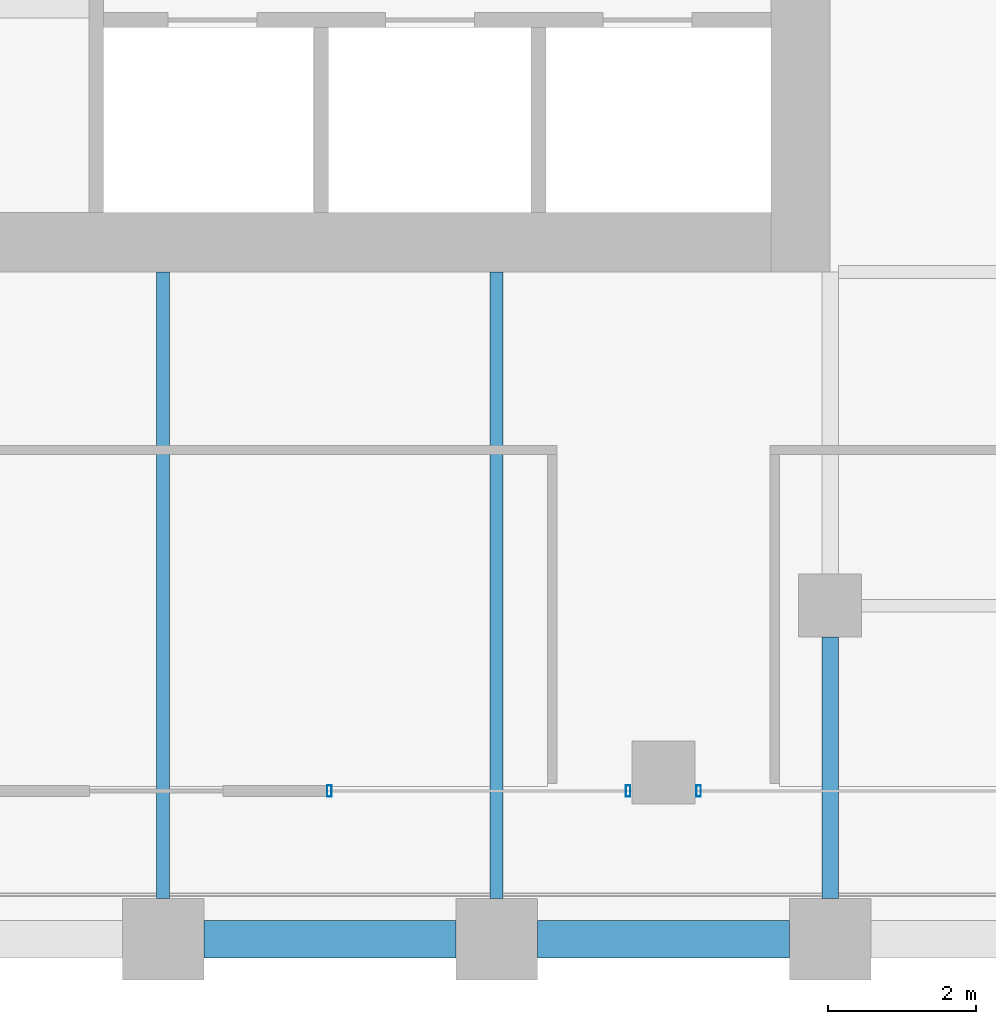
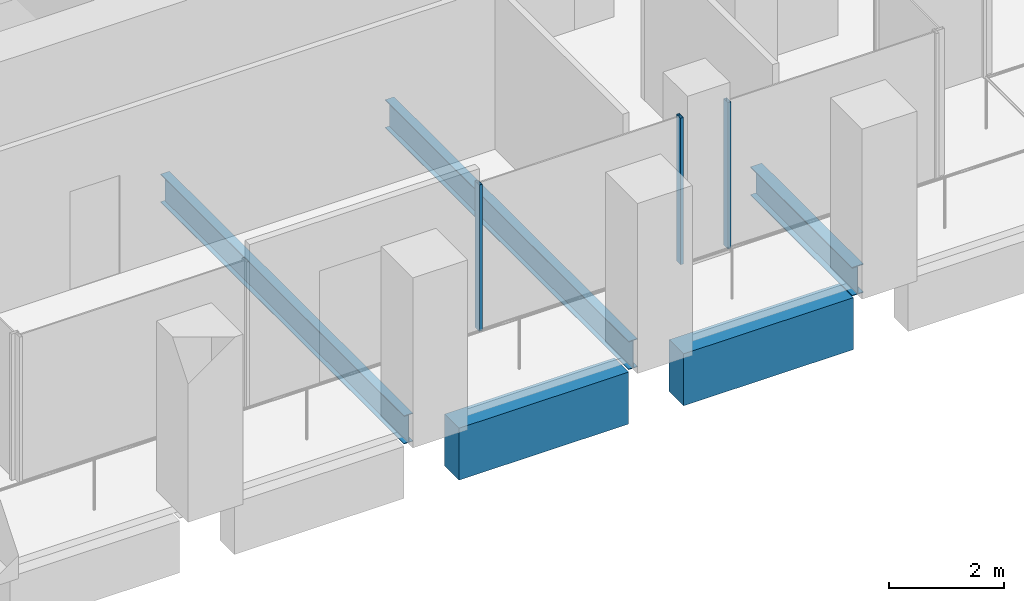
# One storey, part 37 of 56: 5 beams, 3 members, 2 elements without a shape of their own.
"""IFC4 building model written with IfcOpenShell, lengths in metres."""

import ifcopenshell
import ifcopenshell.guid

model = None  # the IFC model being written
_history = None  # IfcOwnerHistory: only IFC2X3 demands one
_inside = {}  # id of a spatial element -> (the spatial element, [elements in it])
_under = {}  # id of a project, library or spatial element -> (it, [spatial elements below it])
_declared = {}  # id of a project -> (the project, [libraries it declares])
_typed = {}  # id of a type object -> (the type object, [elements of that type])
_made_of = {}  # id of a material, layer set ... -> (it, [elements and type objects made of it])


def new_model(schema):
    """Start an empty IFC model of exactly this schema.

    Asked for "IFC4X3", IfcOpenShell would pick the latest addendum, in which some entities
    have other attributes; the version numbers below select the first issue.
    IFC2X3 requires an IfcOwnerHistory on every rooted entity: one is made here for all.
    """
    global model, _history
    if schema == "IFC4X3":
        model = ifcopenshell.file(schema_version=(4, 3, 0, 0))
    else:
        model = ifcopenshell.file(schema=schema)
    _inside.clear()
    _under.clear()
    _declared.clear()
    _typed.clear()
    _made_of.clear()
    _history = None
    if model.schema == "IFC2X3":
        org = make("IfcOrganization", Name="unknown")
        user = make(
            "IfcPersonAndOrganization",
            ThePerson=make("IfcPerson", FamilyName="unknown"),
            TheOrganization=org,
        )
        app = make(
            "IfcApplication",
            ApplicationDeveloper=org,
            Version="unknown",
            ApplicationFullName="unknown",
            ApplicationIdentifier="unknown",
        )
        _history = make(
            "IfcOwnerHistory",
            OwningUser=user,
            OwningApplication=app,
            ChangeAction="ADDED",
            CreationDate=0,
        )
    return model


def make(cls, **values):
    """One entity of the class cls with the attributes given. An attribute that is None is left unset."""
    return model.create_entity(
        cls, **{name: value for name, value in values.items() if value is not None}
    )


def rooted(cls, **values):
    """An entity with a GlobalId (a new one), such as an element, a storey or a relation."""
    return make(cls, GlobalId=ifcopenshell.guid.new(), OwnerHistory=_history, **values)


def si_unit(unit_type, name, prefix=None):
    """IfcSIUnit, for example si_unit("LENGTHUNIT", "METRE", prefix="MILLI")."""
    return make("IfcSIUnit", UnitType=unit_type, Prefix=prefix, Name=name)


def assignment(units):
    """IfcUnitAssignment: the units of a project."""
    return None if units is None else make("IfcUnitAssignment", Units=units)


def point(xyz):
    """IfcCartesianPoint."""
    return None if xyz is None else make("IfcCartesianPoint", Coordinates=xyz)


def direction(xyz):
    """IfcDirection."""
    return None if xyz is None else make("IfcDirection", DirectionRatios=xyz)


def frame(location, z_axis=None, x_axis=None):
    """IfcAxis2Placement3D, a coordinate frame: its origin and axes. An axis left out is left unset."""
    return make(
        "IfcAxis2Placement3D",
        Location=point(location),
        Axis=direction(z_axis),
        RefDirection=direction(x_axis),
    )


def frame_2d(location, x_axis=None):
    """IfcAxis2Placement2D, a coordinate frame in the plane: its origin and x axis."""
    return make(
        "IfcAxis2Placement2D", Location=point(location), RefDirection=direction(x_axis)
    )


def origin():
    """The frame at (0, 0, 0) with its axes left unset."""
    return frame((0.0, 0.0, 0.0))


def origin_2d():
    """The frame at (0, 0) in the plane with its x axis left unset."""
    return frame_2d((0.0, 0.0))


def place(relative_to, where):
    """IfcLocalPlacement: puts the frame where relative to a parent placement (None: the world)."""
    return make(
        "IfcLocalPlacement", PlacementRelTo=relative_to, RelativePlacement=where
    )


def context(
    kind, dimensions, precision=None, world=None, true_north=None, identifier=None
):
    """IfcGeometricRepresentationContext, for example the 3D "Model" context."""
    return make(
        "IfcGeometricRepresentationContext",
        ContextIdentifier=identifier,
        ContextType=kind,
        CoordinateSpaceDimension=dimensions,
        Precision=precision,
        WorldCoordinateSystem=world,
        TrueNorth=true_north,
    )


def subcontext(parent, identifier, kind, view, scale=None):
    """IfcGeometricRepresentationSubContext, for example "Body" below "Model"."""
    return make(
        "IfcGeometricRepresentationSubContext",
        ContextIdentifier=identifier,
        ContextType=kind,
        ParentContext=parent,
        TargetScale=scale,
        TargetView=view,
    )


def project(units=None, contexts=None):
    """IfcProject with its units and contexts."""
    return rooted(
        "IfcProject",
        Name="project",
        RepresentationContexts=contexts,
        UnitsInContext=assignment(units),
    )


def spatial(cls, under=None, at=None, **own):
    """A site, building, storey or space (cls), placed at a placement, below another one or the project."""
    s = rooted(cls, ObjectPlacement=at, **own)
    if under is not None:
        _under.setdefault(under.id(), (under, []))[1].append(s)
    return s


def profile(cls, at=None, kind="AREA", **sizes):
    """A parametric profile (cls). Its sizes go by their IFC names, for example OverallWidth=200.0."""
    return make(cls, ProfileType=kind, Position=at, **sizes)


def rectangle(**sizes):
    """IfcRectangleProfileDef."""
    return profile("IfcRectangleProfileDef", **sizes)


def hollow_rectangle(**sizes):
    """IfcRectangleHollowProfileDef."""
    return profile("IfcRectangleHollowProfileDef", **sizes)


def i_section(**sizes):
    """IfcIShapeProfileDef."""
    return profile("IfcIShapeProfileDef", **sizes)


def extrude(swept, where, along, depth):
    """IfcExtrudedAreaSolid: the profile swept, set in the frame where, extruded along a direction by depth."""
    return make(
        "IfcExtrudedAreaSolid",
        SweptArea=swept,
        Position=where,
        ExtrudedDirection=direction(along),
        Depth=depth,
    )


def shape(context_of_items, identifier, shape_type, items):
    """IfcShapeRepresentation: the items that make up one representation, for example the "Body"."""
    return make(
        "IfcShapeRepresentation",
        ContextOfItems=context_of_items,
        RepresentationIdentifier=identifier,
        RepresentationType=shape_type,
        Items=items,
    )


def material(Name=None, Category=None):
    """IfcMaterial."""
    return make("IfcMaterial", Name=Name, Category=Category)


def material_profile(
    of_material, cross_section, Name=None, Category=None, Priority=None
):
    """IfcMaterialProfile: a cross section and its material."""
    return make(
        "IfcMaterialProfile",
        Name=Name,
        Material=of_material,
        Profile=cross_section,
        Priority=Priority,
        Category=Category,
    )


def profile_set(profiles, Name=None, composite=None):
    """IfcMaterialProfileSet."""
    return make(
        "IfcMaterialProfileSet",
        Name=Name,
        MaterialProfiles=profiles,
        CompositeProfile=composite,
    )


def made_of(thing, what):
    """Note that an element or type object is made of a material, layer set ...; save() writes the relation."""
    if what is not None:
        _made_of.setdefault(what.id(), (what, []))[1].append(thing)
    return thing


def type_object(cls, material=None, **own):
    """A type object (cls), such as IfcWallType, which elements share."""
    return made_of(rooted(cls, **own), material)


def element(
    cls,
    number,
    at=None,
    inside=None,
    cuts=None,
    type_object=None,
    material=None,
    context=None,
    identifier="Body",
    shape_type=None,
    held_by="IfcProductDefinitionShape",
    body=None,
    shapes=None,
    **own,
):
    """One element of the class cls, such as IfcWall. Its Tag is "e" and its number.

    at: its placement. inside: the storey or other place that contains it. cuts: it is an
    opening in that element (IfcRelVoidsElement). A single representation is given by context,
    identifier, shape_type and body (its items); several are given by shapes. held_by: the class
    of the entity that holds the representations. save() writes the other relations.
    """
    e = rooted(cls, Tag="e%d" % number, ObjectPlacement=at, **own)
    if body is not None:
        shapes = [shape(context, identifier, shape_type, body)]
    if shapes is not None:
        e.Representation = make(held_by, Representations=shapes)
    if inside is not None:
        _inside.setdefault(inside.id(), (inside, []))[1].append(e)
    if cuts is not None:
        rooted(
            "IfcRelVoidsElement", RelatingBuildingElement=cuts, RelatedOpeningElement=e
        )
    if type_object is not None:
        _typed.setdefault(type_object.id(), (type_object, []))[1].append(e)
    return made_of(e, material)


def aggregate(whole, parts):
    """IfcRelAggregates: a whole, such as a stair, and the parts it consists of."""
    return rooted("IfcRelAggregates", RelatingObject=whole, RelatedObjects=parts)


def save(model, path):
    """Write the relations noted so far, then the file.

    IfcRelAggregates (storeys below a building ...), IfcRelContainedInSpatialStructure (elements
    in a storey), IfcRelDefinesByType, IfcRelAssociatesMaterial and IfcRelDeclares: one each for
    every whole, place, type object, material and project.
    """
    for whole, parts in _under.values():
        aggregate(whole, parts)
    for where, things in _inside.values():
        rooted(
            "IfcRelContainedInSpatialStructure",
            RelatedElements=things,
            RelatingStructure=where,
        )
    for kind, things in _typed.values():
        rooted("IfcRelDefinesByType", RelatedObjects=things, RelatingType=kind)
    for what, things in _made_of.values():
        rooted("IfcRelAssociatesMaterial", RelatedObjects=things, RelatingMaterial=what)
    for by, libraries in _declared.values():
        rooted("IfcRelDeclares", RelatingContext=by, RelatedDefinitions=libraries)
    model.write(path)


model = new_model("IFC4")

# Units and contexts
model_context = context("Model", 3, precision=1e-05, world=origin(), true_north=direction((0.0, 1.0)))
body_context = subcontext(model_context, "Body", "Model", "MODEL_VIEW")
ifc_project = project(units=[si_unit("LENGTHUNIT", "METRE"), si_unit("AREAUNIT", "SQUARE_METRE"), si_unit("VOLUMEUNIT", "CUBIC_METRE"), si_unit("PLANEANGLEUNIT", "RADIAN"), si_unit("MASSUNIT", "GRAM", prefix="KILO")], contexts=[model_context])

# Site, building, storey
site_placement = place(None, origin())
site = spatial("IfcSite", under=ifc_project, at=site_placement, CompositionType="ELEMENT")
building_placement = place(site_placement, origin())
building = spatial("IfcBuilding", under=site, at=building_placement, Name="Altepetl Exchange Towers", CompositionType="ELEMENT")
storey_placement = place(building_placement, frame((0.0, 0.0, 79.800048828125)))
storey = spatial("IfcBuildingStorey", under=building, at=storey_placement, Name="L19", CompositionType="ELEMENT", Elevation=79.800048828125)

# Beams
ifc_material_1 = material(Name="Steel S355", Category="steel")
ifc_material_profile_1 = material_profile(ifc_material_1, i_section(OverallWidth=0.177978515625, OverallDepth=0.59912109375, WebThickness=0.010009765625, FlangeThickness=0.0126953125, at=origin_2d()), Name="W24X55")
ifc_profile_set_1 = profile_set([ifc_material_profile_1], Name="Steel S355")
beam_type_1 = type_object("IfcBeamType", Name="Floor beam W24X55", PredefinedType="BEAM", material=ifc_profile_set_1)
for number, where, z_axis, x_axis, name in (
    (1, (108.0, 27.550048828125, -0.449462890625), (0.0, 1.0, 0.0), (-1.0, 0.0, 0.0), "bm:B:L19:010"),
    (2, (112.5, 27.550048828125, -0.449462890625), (0.0, 1.0, 0.0), (-1.0, 0.0, 0.0), "bm:B:L19:011"),
):
    element("IfcBeam", number, at=place(storey_placement, frame(where, z_axis=z_axis, x_axis=x_axis)), inside=storey, type_object=beam_type_1, Name=name, PredefinedType="BEAM", context=body_context, shape_type="SweptSolid", body=[
        extrude(i_section(OverallWidth=0.177978515625, OverallDepth=0.59912109375, WebThickness=0.010009765625, FlangeThickness=0.0126953125, at=origin_2d()), origin(), (0.0, 0.0, 1.0), 8.449951171875),
    ])
ifc_material_profile_2 = material_profile(ifc_material_1, i_section(OverallWidth=0.22802734375, OverallDepth=0.60791015625, WebThickness=0.01123046875, FlangeThickness=0.017333984375, at=origin_2d()), Name="W24X76")
ifc_profile_set_2 = profile_set([ifc_material_profile_2], Name="Steel S355")
beam_type_2 = type_object("IfcBeamType", Name="Girder W24X76", PredefinedType="BEAM", material=ifc_profile_set_2)
beam_placement = place(storey_placement, frame((117.0, 31.074951171875, -0.4541015625), z_axis=(0.0, -1.0, 0.0), x_axis=(1.0, 0.0, 0.0)))
element("IfcBeam", 3, at=beam_placement, inside=storey, type_object=beam_type_2, Name="gd:B:L19:005", PredefinedType="BEAM", context=body_context, shape_type="SweptSolid", body=[
    extrude(i_section(OverallWidth=0.22802734375, OverallDepth=0.60791015625, WebThickness=0.01123046875, FlangeThickness=0.017333984375, at=origin_2d()), origin(), (0.0, 0.0, 1.0), 3.52490234375),
])

# Curtain wall, members
ifc_material_2 = material(Name="Aluminium 6063-T6 glazing", Category="aluminium")
curtain_wall_type = type_object("IfcCurtainWallType", Name="Loggia glazing system", PredefinedType="NOTDEFINED", material=ifc_material_2)
curtain_wall_1_placement = place(storey_placement, origin())
curtain_wall_1 = element("IfcCurtainWall", 4, at=curtain_wall_1_placement, inside=storey, type_object=curtain_wall_type, Name="CW1 run", PredefinedType="NOTDEFINED")
ifc_material_3 = material(Name="Aluminium 6063-T6", Category="aluminium")
ifc_material_profile_3 = material_profile(ifc_material_3, hollow_rectangle(XDim=0.06005859375, YDim=0.14990234375, WallThickness=0.0029296875, at=origin_2d()), Name="Mullion 60x150 aluminium")
ifc_profile_set_3 = profile_set([ifc_material_profile_3], Name="Aluminium 6063-T6")
member_type = type_object("IfcMemberType", Name="Mullion 60x150 aluminium", PredefinedType="MULLION", material=ifc_profile_set_3)
member_1_placement = place(storey_placement, frame((110.242431640625, 29.0, 0.0)))
member_1 = element("IfcMember", 5, at=member_1_placement, type_object=member_type, Name="MU1 mullion", PredefinedType="MULLION", context=body_context, shape_type="SweptSolid", body=[
    extrude(hollow_rectangle(XDim=0.06005859375, YDim=0.14990234375, WallThickness=0.0029296875, at=origin_2d()), origin(), (0.0, 0.0, 1.0), 3.099853515625),
])
member_2_placement = place(storey_placement, frame((114.27490234375, 29.0, 0.0)))
member_2 = element("IfcMember", 6, at=member_2_placement, type_object=member_type, Name="MU1 mullion", PredefinedType="MULLION", context=body_context, shape_type="SweptSolid", body=[
    extrude(hollow_rectangle(XDim=0.06005859375, YDim=0.14990234375, WallThickness=0.0029296875, at=origin_2d()), origin(), (0.0, 0.0, 1.0), 3.099853515625),
])
aggregate(curtain_wall_1, [member_1, member_2])

# Curtain wall, member
curtain_wall_2_placement = place(storey_placement, origin())
curtain_wall_2 = element("IfcCurtainWall", 7, at=curtain_wall_2_placement, inside=storey, type_object=curtain_wall_type, Name="CW1 run", PredefinedType="NOTDEFINED")
member_3_placement = place(storey_placement, frame((115.22509765625, 29.0, 0.0)))
member_3 = element("IfcMember", 8, at=member_3_placement, type_object=member_type, Name="MU1 mullion", PredefinedType="MULLION", context=body_context, shape_type="SweptSolid", body=[
    extrude(hollow_rectangle(XDim=0.06005859375, YDim=0.14990234375, WallThickness=0.0029296875, at=origin_2d()), origin(), (0.0, 0.0, 1.0), 3.099853515625),
])
aggregate(curtain_wall_2, [member_3])

# Beams
ifc_material_4 = material(Name="Concrete C50/60 precast with tezontle facing", Category="concrete")
ifc_material_profile_4 = material_profile(ifc_material_4, rectangle(XDim=0.5, YDim=1.10009765625, at=origin_2d()), Name="500 x 1100")
ifc_profile_set_4 = profile_set([ifc_material_profile_4], Name="Concrete C50/60 precast with tezontle facing")
beam_type_3 = type_object("IfcBeamType", Name="Spandrel beam 500x1100 tezontle", PredefinedType="SPANDREL", material=ifc_profile_set_4)
for number, where, z_axis, x_axis, name in (
    (9, (108.550048828125, 27.0, -0.699951171875), (1.0, 0.0, 0.0), (0.0, 1.0, 0.0), "sp:B:L19:002"),
    (10, (113.050048828125, 27.0, -0.699951171875), (1.0, 0.0, 0.0), (0.0, 1.0, 0.0), "sp:B:L19:003"),
):
    element("IfcBeam", number, at=place(storey_placement, frame(where, z_axis=z_axis, x_axis=x_axis)), inside=storey, type_object=beam_type_3, Name=name, PredefinedType="SPANDREL", context=body_context, shape_type="SweptSolid", body=[
        extrude(rectangle(XDim=0.5, YDim=1.10009765625, at=origin_2d()), origin(), (0.0, 0.0, 1.0), 3.39990234375),
    ])

save(model, "model.ifc")
